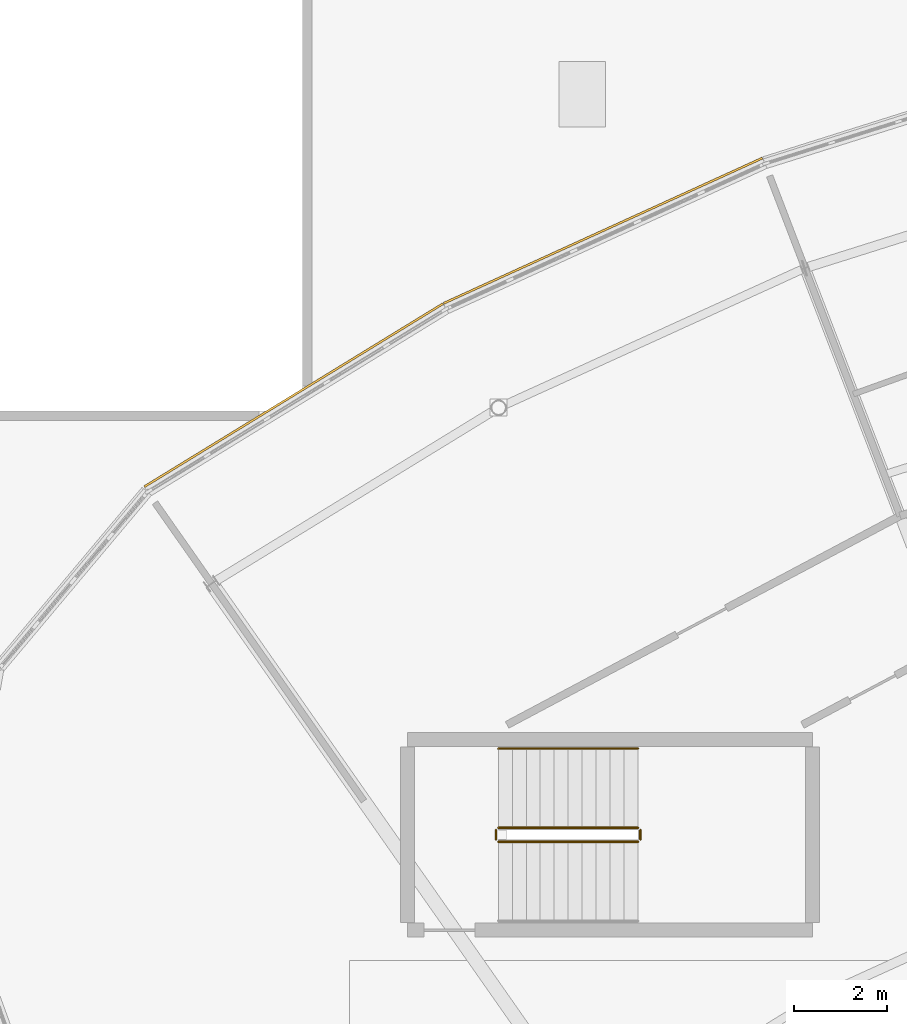
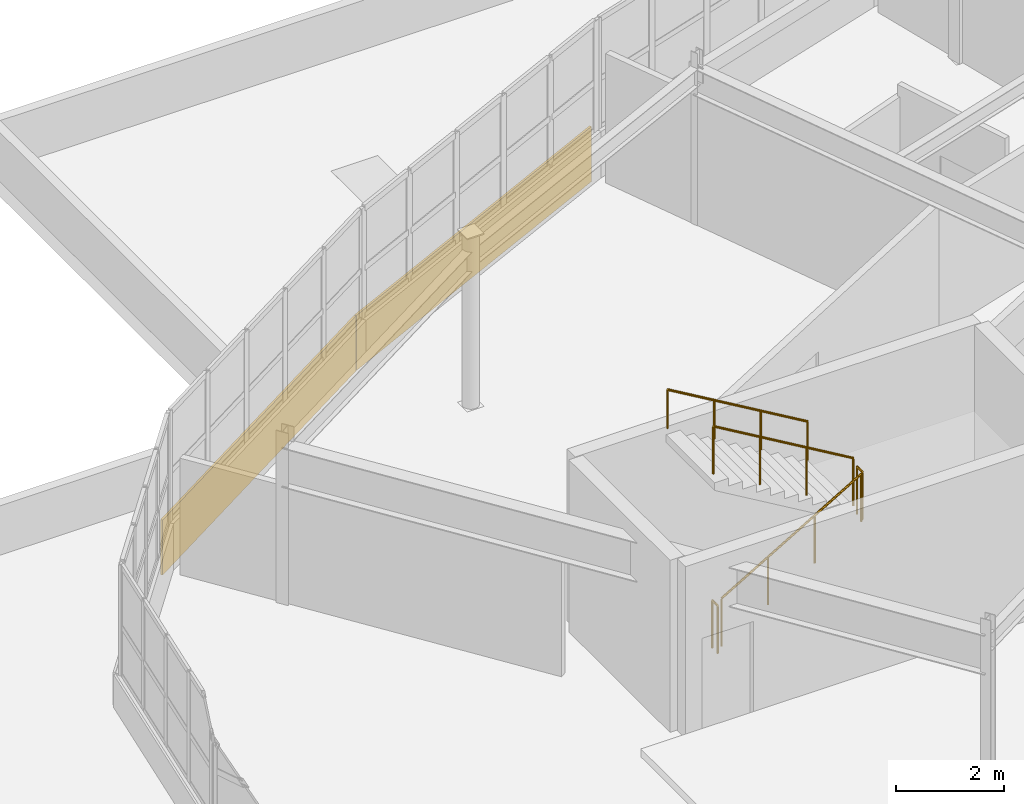
# One storey, part 119 of 128: 5 railings, 2 coverings.
"""IFC4 building model written with IfcOpenShell, lengths in metres."""

from ifc_helpers import new_model, si_unit, direction, frame, origin, origin_2d, place, context, subcontext, project, spatial, rectangle, circle, extrude, material, layer, layer_set, type_object, element, save


model = new_model("IFC4")

# Units and contexts
model_context = context("Model", 3, precision=1e-05, world=origin(), true_north=direction((0.0, 1.0)))
body_context = subcontext(model_context, "Body", "Model", "MODEL_VIEW")
ifc_project = project(units=[si_unit("LENGTHUNIT", "METRE"), si_unit("AREAUNIT", "SQUARE_METRE"), si_unit("VOLUMEUNIT", "CUBIC_METRE"), si_unit("PLANEANGLEUNIT", "RADIAN"), si_unit("MASSUNIT", "GRAM", prefix="KILO")], contexts=[model_context])

# Site, building, storey
site_placement = place(None, origin())
site = spatial("IfcSite", under=ifc_project, at=site_placement, CompositionType="ELEMENT")
building_placement = place(site_placement, origin())
building = spatial("IfcBuilding", under=site, at=building_placement, Name="Tarnwether General Hospital", CompositionType="ELEMENT")
storey_placement = place(building_placement, frame((0.0, 0.0, 14.39990234375)))
storey = spatial("IfcBuildingStorey", under=building, at=storey_placement, Name="L03", CompositionType="ELEMENT", Elevation=14.39990234375)

# Coverings
ifc_material_1 = material(Name="Streamlined white enamelled aluminium", Category="aluminium")
ifc_layer = layer(ifc_material_1, 0.044921875)
ifc_layer_set = layer_set([ifc_layer], Name="Streamlined white enamelled aluminium")
covering_type = type_object("IfcCoveringType", Name="CV-CLD-WHT", PredefinedType="CLADDING", material=ifc_layer_set)
for number, where, z_axis, x_axis, name in (
    (1, (66.447998046875, 119.070068359375, -0.1748046875), (0.0, 0.0, 1.0), (0.909961270877, 0.414693242656, 0.0), "Streamlined White Horizontal Band NW L03 30"),
    (2, (59.805908203125, 115.5380859375, -0.1748046875), (0.0, 0.0, 1.0), (0.852631044904, 0.522513446015, 0.0), "Streamlined White Horizontal Band NW L03 31"),
):
    element("IfcCovering", number, at=place(storey_placement, frame(where, z_axis=z_axis, x_axis=x_axis)), inside=storey, type_object=covering_type, Name=name, PredefinedType="CLADDING", context=body_context, shape_type="SweptSolid", body=[
        extrude(rectangle(XDim=7.52099609375, YDim=0.044921875, at=origin_2d()), origin(), (0.0, 0.0, 1.0), 1.25),
    ])

# Railings
ifc_material_2 = material(Name="Anodised aluminium", Category="aluminium")
railing_type_1 = type_object("IfcRailingType", Name="RL-GRD-INT", PredefinedType="GUARDRAIL", material=ifc_material_2)
railing_1_placement = place(storey_placement, frame((64.199951171875, 105.949951171875, 0.177490234375)))
element("IfcRailing", 3, at=railing_1_placement, inside=storey, type_object=railing_type_1, Name="L03 ST-07 stair guard 1", PredefinedType="GUARDRAIL", context=body_context, shape_type="SweptSolid", body=[
    extrude(circle(Radius=0.02392578125, at=origin_2d()), frame((0.0, 0.0, 1.076171875), z_axis=(0.86092931783, 0.0, 0.508724591208), x_axis=(0.0, 1.0, 0.0)), (0.0, 0.0, 1.0), 3.484619140625),
    extrude(circle(Radius=0.02099609375, at=origin_2d()), origin(), (0.0, 0.0, 1.0), 1.052001953125),
    extrude(circle(Radius=0.02099609375, at=origin_2d()), frame((1.0, 0.0, 0.5908203125)), (0.0, 0.0, 1.0), 1.052001953125),
    extrude(circle(Radius=0.02099609375, at=origin_2d()), frame((2.0, 0.0, 1.181884765625)), (0.0, 0.0, 1.0), 1.052001953125),
    extrude(circle(Radius=0.02099609375, at=origin_2d()), frame((3.0, 0.0, 1.772705078125)), (0.0, 0.0, 1.0), 1.052001953125),
])
railing_2_placement = place(storey_placement, frame((67.25, 106.0, 1.9501953125)))
element("IfcRailing", 4, at=railing_2_placement, inside=storey, type_object=railing_type_1, Name="L03 ST-07 stair guard 2", PredefinedType="GUARDRAIL", context=body_context, shape_type="SweptSolid", body=[
    extrude(circle(Radius=0.02392578125, at=origin_2d()), frame((0.0, 0.0, 1.076171875), z_axis=(0.0, 1.0, 0.0), x_axis=(-1.0, 0.0, 0.0)), (0.0, 0.0, 1.0), 0.199951171875),
    extrude(circle(Radius=0.02099609375, at=origin_2d()), origin(), (0.0, 0.0, 1.0), 1.052001953125),
    extrude(circle(Radius=0.02099609375, at=origin_2d()), frame((0.0, 0.199951171875, 0.0)), (0.0, 0.0, 1.0), 1.052001953125),
])
railing_3_placement = place(storey_placement, frame((67.199951171875, 106.25, 2.12744140625)))
element("IfcRailing", 5, at=railing_3_placement, inside=storey, type_object=railing_type_1, Name="L03 ST-07 stair guard 3", PredefinedType="GUARDRAIL", context=body_context, shape_type="SweptSolid", body=[
    extrude(circle(Radius=0.02392578125, at=origin_2d()), frame((0.0, 0.0, 1.076171875), z_axis=(-0.86092931783, 0.0, 0.508724591208), x_axis=(0.0, -1.0, 0.0)), (0.0, 0.0, 1.0), 3.484619140625),
    extrude(circle(Radius=0.02099609375, at=origin_2d()), origin(), (0.0, 0.0, 1.0), 1.052001953125),
    extrude(circle(Radius=0.02099609375, at=origin_2d()), frame((-1.0, 0.0, 0.5908203125)), (0.0, 0.0, 1.0), 1.052001953125),
    extrude(circle(Radius=0.02099609375, at=origin_2d()), frame((-2.0, 0.0, 1.181884765625)), (0.0, 0.0, 1.0), 1.052001953125),
    extrude(circle(Radius=0.02099609375, at=origin_2d()), frame((-3.0, 0.0, 1.772705078125)), (0.0, 0.0, 1.0), 1.052001953125),
])
railing_4_placement = place(storey_placement, frame((64.14990234375, 106.0, 0.0)))
element("IfcRailing", 6, at=railing_4_placement, inside=storey, type_object=railing_type_1, Name="L03 ST-07 stair guard 4", PredefinedType="GUARDRAIL", context=body_context, shape_type="SweptSolid", body=[
    extrude(circle(Radius=0.02392578125, at=origin_2d()), frame((0.0, 0.0, 1.076171875), z_axis=(0.0, 1.0, 0.0), x_axis=(-1.0, 0.0, 0.0)), (0.0, 0.0, 1.0), 0.199951171875),
    extrude(circle(Radius=0.02099609375, at=origin_2d()), origin(), (0.0, 0.0, 1.0), 1.052001953125),
    extrude(circle(Radius=0.02099609375, at=origin_2d()), frame((0.0, 0.199951171875, 0.0)), (0.0, 0.0, 1.0), 1.052001953125),
])
ifc_material_3 = material(Name="Anodised aluminium", Category="aluminium")
railing_type_2 = type_object("IfcRailingType", Name="RL-HND-INT", PredefinedType="HANDRAIL", material=ifc_material_3)
railing_5_placement = place(storey_placement, frame((67.199951171875, 107.949951171875, 2.12744140625)))
element("IfcRailing", 7, at=railing_5_placement, inside=storey, type_object=railing_type_2, Name="L03 ST-07 stair handrail 2", PredefinedType="HANDRAIL", context=body_context, shape_type="SweptSolid", body=[
    extrude(circle(Radius=0.02392578125, at=origin_2d()), frame((0.0, 0.0, 0.8759765625), z_axis=(-0.86092931783, 0.0, 0.508724591208), x_axis=(0.0, -1.0, 0.0)), (0.0, 0.0, 1.0), 3.484619140625),
    extrude(circle(Radius=0.02099609375, at=origin_2d()), origin(), (0.0, 0.0, 1.0), 0.851806640625),
    extrude(circle(Radius=0.02099609375, at=origin_2d()), frame((-1.0, 0.0, 0.5908203125)), (0.0, 0.0, 1.0), 0.851806640625),
    extrude(circle(Radius=0.02099609375, at=origin_2d()), frame((-2.0, 0.0, 1.181884765625)), (0.0, 0.0, 1.0), 0.851806640625),
    extrude(circle(Radius=0.02099609375, at=origin_2d()), frame((-3.0, 0.0, 1.772705078125)), (0.0, 0.0, 1.0), 0.851806640625),
])

save(model, "model.ifc")
